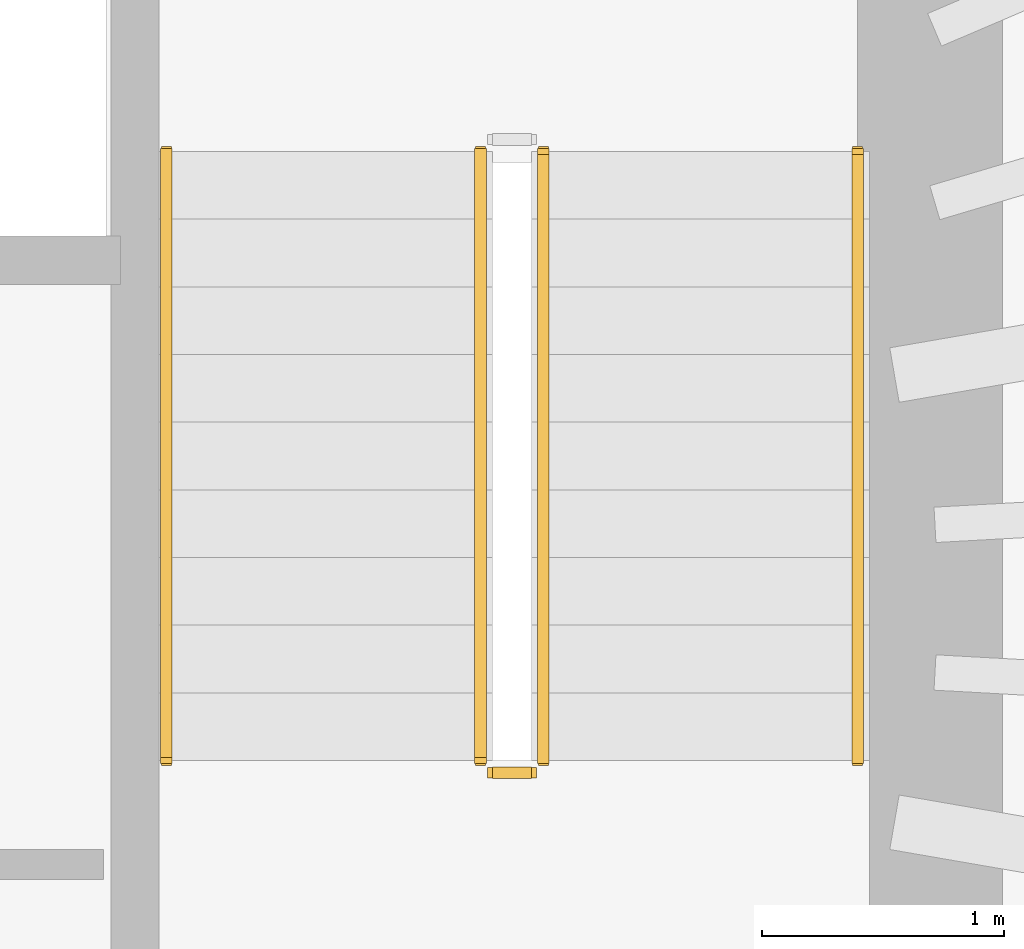
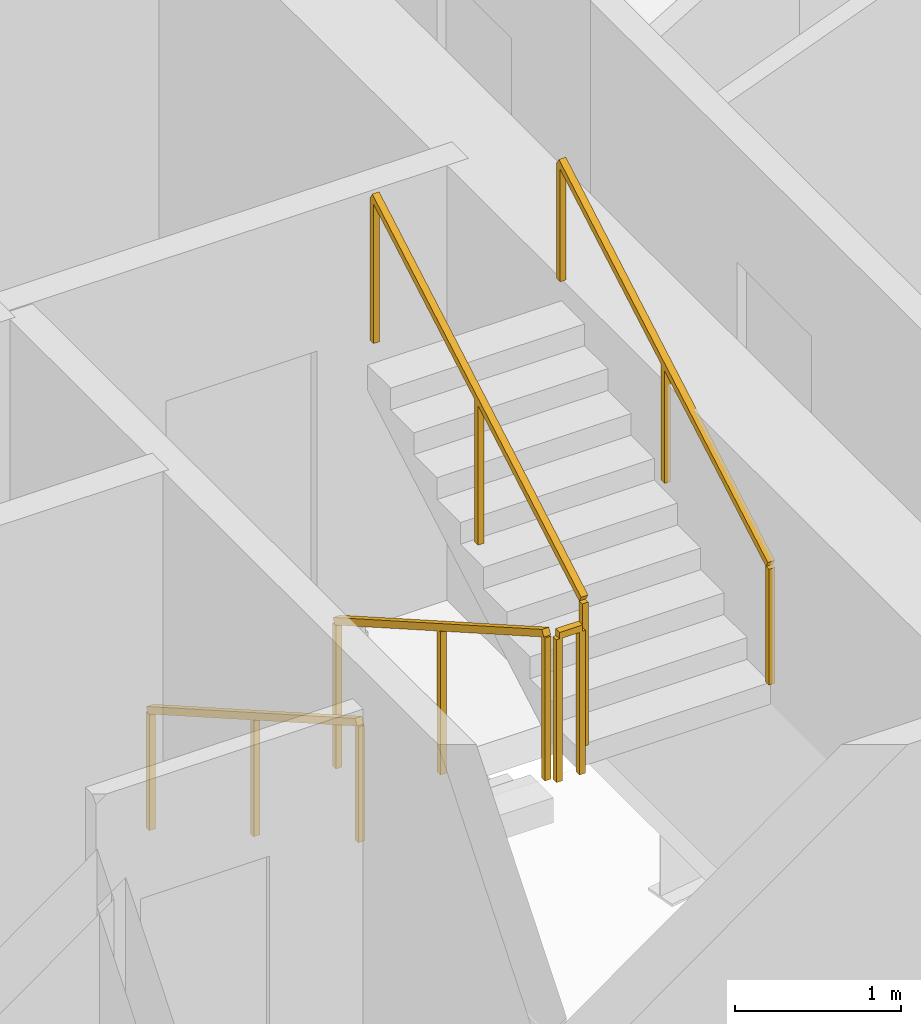
# One storey, part 10 of 12: 5 railings.
"""IFC4 building model written with IfcOpenShell, lengths in metres."""

from ifc_helpers import new_model, si_unit, direction, frame, origin, origin_2d, place, context, subcontext, project, spatial, rectangle, extrude, material, type_object, element, save


model = new_model("IFC4")

# Units and contexts
model_context = context("Model", 3, precision=1e-05, world=origin(), true_north=direction((0.0, 1.0)))
body_context = subcontext(model_context, "Body", "Model", "MODEL_VIEW")
ifc_project = project(units=[si_unit("LENGTHUNIT", "METRE"), si_unit("AREAUNIT", "SQUARE_METRE"), si_unit("VOLUMEUNIT", "CUBIC_METRE"), si_unit("PLANEANGLEUNIT", "RADIAN"), si_unit("MASSUNIT", "GRAM", prefix="KILO")], contexts=[model_context])

# Site, building, storey
site_placement = place(None, origin())
site = spatial("IfcSite", under=ifc_project, at=site_placement, CompositionType="ELEMENT")
building_placement = place(site_placement, origin())
building = spatial("IfcBuilding", under=site, at=building_placement, Name="Veldorim Arch Residences", CompositionType="ELEMENT")
storey_placement = place(building_placement, frame((0.0, 0.0, 148.9599609375)))
storey = spatial("IfcBuildingStorey", under=building, at=storey_placement, Name="L44", CompositionType="ELEMENT", Elevation=148.9599609375)

# Railings
ifc_material_1 = material(Name="Steel S355", Category="steel")
railing_type_1 = type_object("IfcRailingType", Name="Galvanised Steel Stair Safety Guardrail 1100", PredefinedType="GUARDRAIL", material=ifc_material_1)
railing_1_placement = place(storey_placement, frame((35.639892578125, 25.85009765625, 0.16015625)))
element("IfcRailing", 1, at=railing_1_placement, inside=storey, type_object=railing_type_1, Name="L44 ST-2 stair guard 1", PredefinedType="GUARDRAIL", context=body_context, shape_type="SweptSolid", body=[
    extrude(rectangle(XDim=0.048095703125, YDim=0.048095703125, at=origin_2d()), frame((0.0, 0.0, 1.076171875), z_axis=(0.0, -0.868253494771, 0.496120820787), x_axis=(1.0, 0.0, 0.0)), (0.0, 0.0, 1.0), 2.90234375),
    extrude(rectangle(XDim=0.0419921875, YDim=0.0419921875, at=origin_2d()), origin(), (0.0, 0.0, 1.0), 1.052001953125),
    extrude(rectangle(XDim=0.0419921875, YDim=0.0419921875, at=origin_2d()), frame((0.0, -1.260009765625, 0.719970703125)), (0.0, 0.0, 1.0), 1.052001953125),
    extrude(rectangle(XDim=0.0419921875, YDim=0.0419921875, at=origin_2d()), frame((0.0, -2.52001953125, 1.43994140625)), (0.0, 0.0, 1.0), 1.052001953125),
])
railing_2_placement = place(storey_placement, frame((35.68994140625, 23.280029296875, 1.60009765625)))
element("IfcRailing", 2, at=railing_2_placement, inside=storey, type_object=railing_type_1, Name="L44 ST-2 stair guard 2", PredefinedType="GUARDRAIL", context=body_context, shape_type="SweptSolid", body=[
    extrude(rectangle(XDim=0.048095703125, YDim=0.048095703125, at=origin_2d()), frame((0.0, 0.0, 1.076171875), z_axis=(1.0, 0.0, 0.0), x_axis=(0.0, 1.0, 0.0)), (0.0, 0.0, 1.0), 0.16015625),
    extrude(rectangle(XDim=0.0419921875, YDim=0.0419921875, at=origin_2d()), origin(), (0.0, 0.0, 1.0), 1.052001953125),
    extrude(rectangle(XDim=0.0419921875, YDim=0.0419921875, at=origin_2d()), frame((0.16015625, 0.0, 0.0)), (0.0, 0.0, 1.0), 1.052001953125),
])
railing_3_placement = place(storey_placement, frame((35.89990234375, 23.330078125, 1.760009765625)))
element("IfcRailing", 3, at=railing_3_placement, inside=storey, type_object=railing_type_1, Name="L44 ST-2 stair guard 3", PredefinedType="GUARDRAIL", context=body_context, shape_type="SweptSolid", body=[
    extrude(rectangle(XDim=0.048095703125, YDim=0.048095703125, at=origin_2d()), frame((0.0, 0.0, 1.076171875), z_axis=(0.0, 0.868253494771, 0.496120820787), x_axis=(-1.0, 0.0, 0.0)), (0.0, 0.0, 1.0), 2.90234375),
    extrude(rectangle(XDim=0.0419921875, YDim=0.0419921875, at=origin_2d()), origin(), (0.0, 0.0, 1.0), 1.052001953125),
    extrude(rectangle(XDim=0.0419921875, YDim=0.0419921875, at=origin_2d()), frame((0.0, 1.260009765625, 0.719970703125)), (0.0, 0.0, 1.0), 1.052001953125),
    extrude(rectangle(XDim=0.0419921875, YDim=0.0419921875, at=origin_2d()), frame((0.0, 2.52001953125, 1.43994140625)), (0.0, 0.0, 1.0), 1.052001953125),
])
ifc_material_2 = material(Name="Stainless Steel", Category="steel")
railing_type_2 = type_object("IfcRailingType", Name="Tubular Steel Continuous Wall Handrail 900", PredefinedType="HANDRAIL", material=ifc_material_2)
railing_4_placement = place(storey_placement, frame((34.340087890625, 25.85009765625, 0.16015625)))
element("IfcRailing", 4, at=railing_4_placement, inside=storey, type_object=railing_type_2, Name="L44 ST-2 stair handrail 1", PredefinedType="HANDRAIL", context=body_context, shape_type="SweptSolid", body=[
    extrude(rectangle(XDim=0.048095703125, YDim=0.048095703125, at=origin_2d()), frame((0.0, 0.0, 0.8759765625), z_axis=(0.0, -0.868253494771, 0.496120820787), x_axis=(1.0, 0.0, 0.0)), (0.0, 0.0, 1.0), 2.90234375),
    extrude(rectangle(XDim=0.0419921875, YDim=0.0419921875, at=origin_2d()), origin(), (0.0, 0.0, 1.0), 0.851806640625),
    extrude(rectangle(XDim=0.0419921875, YDim=0.0419921875, at=origin_2d()), frame((0.0, -1.260009765625, 0.719970703125)), (0.0, 0.0, 1.0), 0.851806640625),
    extrude(rectangle(XDim=0.0419921875, YDim=0.0419921875, at=origin_2d()), frame((0.0, -2.52001953125, 1.43994140625)), (0.0, 0.0, 1.0), 0.851806640625),
])
railing_5_placement = place(storey_placement, frame((37.199951171875, 23.330078125, 1.760009765625)))
element("IfcRailing", 5, at=railing_5_placement, inside=storey, type_object=railing_type_2, Name="L44 ST-2 stair handrail 2", PredefinedType="HANDRAIL", context=body_context, shape_type="SweptSolid", body=[
    extrude(rectangle(XDim=0.048095703125, YDim=0.048095703125, at=origin_2d()), frame((0.0, 0.0, 0.8759765625), z_axis=(0.0, 0.868253494771, 0.496120820787), x_axis=(-1.0, 0.0, 0.0)), (0.0, 0.0, 1.0), 2.90234375),
    extrude(rectangle(XDim=0.0419921875, YDim=0.0419921875, at=origin_2d()), origin(), (0.0, 0.0, 1.0), 0.851806640625),
    extrude(rectangle(XDim=0.0419921875, YDim=0.0419921875, at=origin_2d()), frame((0.0, 1.260009765625, 0.719970703125)), (0.0, 0.0, 1.0), 0.851806640625),
    extrude(rectangle(XDim=0.0419921875, YDim=0.0419921875, at=origin_2d()), frame((0.0, 2.52001953125, 1.43994140625)), (0.0, 0.0, 1.0), 0.851806640625),
])

save(model, "model.ifc")
